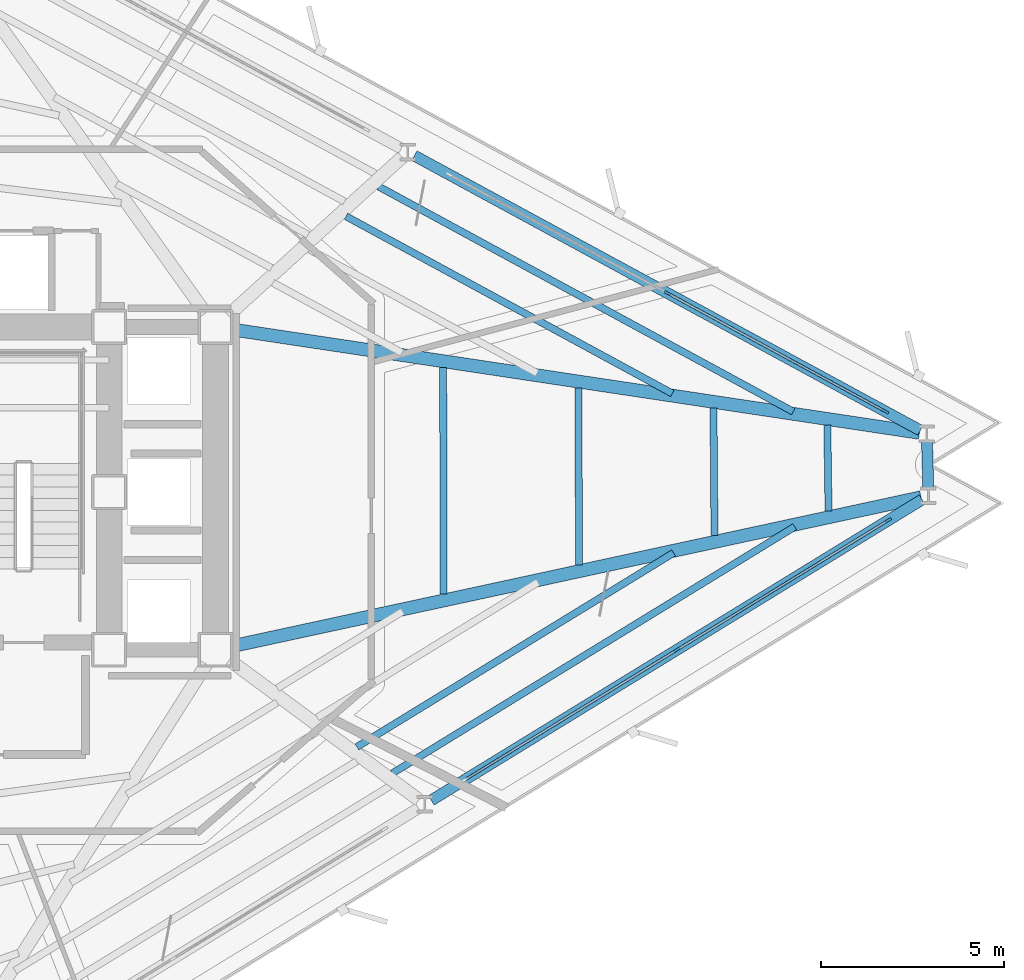
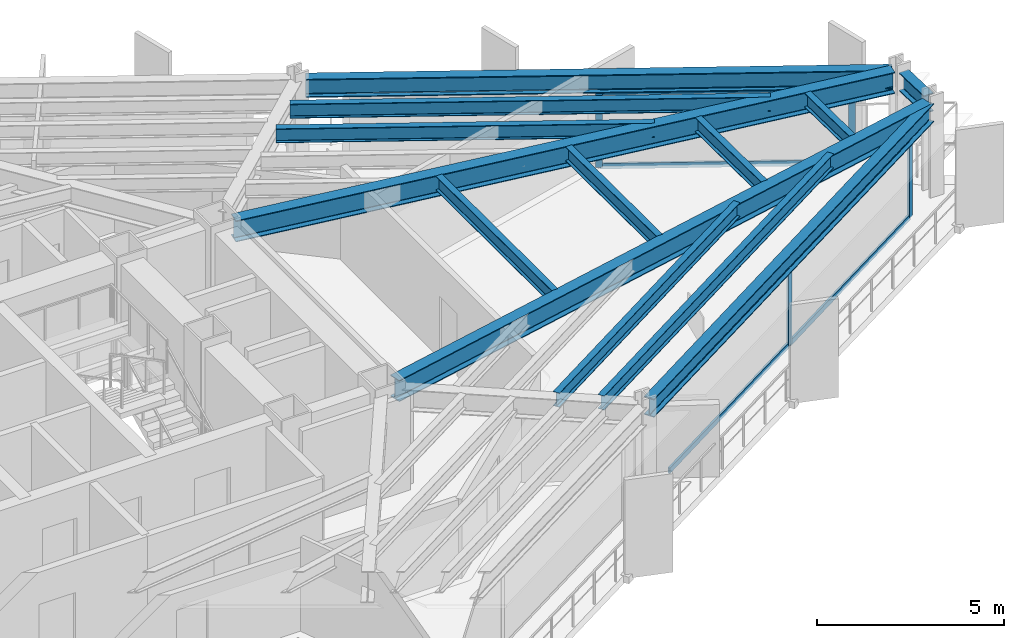
# One storey, part 4 of 14: 13 beams, 10 members, 2 elements without a shape of their own.
"""IFC4 building model written with IfcOpenShell, lengths in metres."""

from ifc_helpers import new_model, si_unit, direction, frame, origin, origin_2d, place, context, subcontext, project, spatial, rectangle, i_section, extrude, material, layer, layer_set, material_profile, profile_set, type_object, element, aggregate, save


model = new_model("IFC4")

# Units and contexts
model_context = context("Model", 3, precision=1e-05, world=origin(), true_north=direction((0.0, 1.0)))
body_context = subcontext(model_context, "Body", "Model", "MODEL_VIEW")
ifc_project = project(units=[si_unit("LENGTHUNIT", "METRE"), si_unit("AREAUNIT", "SQUARE_METRE"), si_unit("VOLUMEUNIT", "CUBIC_METRE"), si_unit("PLANEANGLEUNIT", "RADIAN"), si_unit("MASSUNIT", "GRAM", prefix="KILO")], contexts=[model_context])

# Site, building, storey
site_placement = place(None, origin())
site = spatial("IfcSite", under=ifc_project, at=site_placement, CompositionType="ELEMENT")
building_placement = place(site_placement, origin())
building = spatial("IfcBuilding", under=site, at=building_placement, Name="Rocaltana Carrier Exchange", CompositionType="ELEMENT")
storey_placement = place(building_placement, frame((0.0, 0.0, 32.320068359375)))
storey = spatial("IfcBuildingStorey", under=building, at=storey_placement, Name="L10", CompositionType="ELEMENT", Elevation=32.320068359375)

# Curtain wall, members
ifc_material_1 = material(Name="Aluminium 6063-T6", Category="aluminium")
ifc_layer = layer(ifc_material_1, 0.179931640625)
ifc_layer_set = layer_set([ifc_layer], Name="Aluminium 6063-T6")
curtain_wall_type = type_object("IfcCurtainWallType", Name="Sandstone Spandrel Unitised Curtain Wall CW-01", PredefinedType="NOTDEFINED", material=ifc_layer_set)
curtain_wall_1_placement = place(storey_placement, origin())
curtain_wall_1 = element("IfcCurtainWall", 1, at=curtain_wall_1_placement, inside=storey, type_object=curtain_wall_type, Name="L10 CW-01 Run CW-L10-F1S1", PredefinedType="NOTDEFINED")
ifc_material_2 = material(Name="Aluminium 6063-T6", Category="aluminium")
ifc_material_profile_1 = material_profile(ifc_material_2, rectangle(XDim=0.06494140625, YDim=0.179931640625, at=origin_2d()), Name="AL-65X180")
ifc_profile_set_1 = profile_set([ifc_material_profile_1], Name="Aluminium 6063-T6")
member_type_1 = type_object("IfcMemberType", Name="CW-01 Mullion AL-65X180", PredefinedType="MULLION", material=ifc_profile_set_1)
member_1_placement = place(storey_placement, frame((27.213623046875, 2.19677734375, 0.0), z_axis=(0.0, 0.0, 1.0), x_axis=(-0.477161473226, -0.878815639636, 0.0)))
member_1 = element("IfcMember", 2, at=member_1_placement, type_object=member_type_1, Name="CW-01 mullion 1", PredefinedType="MULLION", context=body_context, shape_type="SweptSolid", body=[
    extrude(rectangle(XDim=0.06494140625, YDim=0.179931640625, at=origin_2d()), origin(), (0.0, 0.0, 1.0), 2.47802734375),
])
member_2_placement = place(storey_placement, frame((21.26611328125, 5.426025390625, 0.0), z_axis=(0.0, 0.0, 1.0), x_axis=(-0.477161473226, -0.878815639636, 0.0)))
member_2 = element("IfcMember", 3, at=member_2_placement, type_object=member_type_1, Name="CW-01 mullion 2", PredefinedType="MULLION", context=body_context, shape_type="SweptSolid", body=[
    extrude(rectangle(XDim=0.06494140625, YDim=0.179931640625, at=origin_2d()), origin(), (0.0, 0.0, 1.0), 2.47802734375),
])

curtain_wall_2_placement = place(storey_placement, origin())
curtain_wall_2 = element("IfcCurtainWall", 4, at=curtain_wall_2_placement, inside=storey, type_object=curtain_wall_type, Name="L10 CW-01 Run CW-L10-F3S3", PredefinedType="NOTDEFINED")
member_3_placement = place(storey_placement, frame((21.52099609375, -4.3056640625, 0.0), z_axis=(0.0, 0.0, 1.0), x_axis=(-0.522499812415, 0.852639399762, 0.0)))
member_3 = element("IfcMember", 5, at=member_3_placement, type_object=member_type_1, Name="CW-01 mullion 2", PredefinedType="MULLION", context=body_context, shape_type="SweptSolid", body=[
    extrude(rectangle(XDim=0.06494140625, YDim=0.179931640625, at=origin_2d()), origin(), (0.0, 0.0, 1.0), 2.47802734375),
])
member_4_placement = place(storey_placement, frame((27.291259765625, -0.76953125, 0.0), z_axis=(0.0, 0.0, 1.0), x_axis=(-0.522499812415, 0.852639399762, 0.0)))
member_4 = element("IfcMember", 6, at=member_4_placement, type_object=member_type_1, Name="CW-01 mullion 3", PredefinedType="MULLION", context=body_context, shape_type="SweptSolid", body=[
    extrude(rectangle(XDim=0.06494140625, YDim=0.179931640625, at=origin_2d()), origin(), (0.0, 0.0, 1.0), 2.47802734375),
])

# Member
ifc_material_3 = material(Name="Aluminium 6063-T6", Category="aluminium")
ifc_material_profile_2 = material_profile(ifc_material_3, rectangle(XDim=0.06494140625, YDim=0.179931640625, at=origin_2d()), Name="AL-65X180")
ifc_profile_set_2 = profile_set([ifc_material_profile_2], Name="Aluminium 6063-T6")
member_type_2 = type_object("IfcMemberType", Name="CW-01 Transom AL-65X180", PredefinedType="USERDEFINED", material=ifc_profile_set_2)
member_5_placement = place(storey_placement, frame((27.18505859375, 2.21240234375, 0.032470703125), z_axis=(-0.878830739565, 0.477133661772, 0.0), x_axis=(-0.477133661772, -0.878830739565, 0.0)))
member_5 = element("IfcMember", 7, at=member_5_placement, type_object=member_type_2, Name="CW-01 transom 1.1", ObjectType="TRANSOM", PredefinedType="USERDEFINED", context=body_context, shape_type="SweptSolid", body=[
    extrude(rectangle(XDim=0.06494140625, YDim=0.179931640625, at=origin_2d()), origin(), (0.0, 0.0, 1.0), 6.70263671875),
])

member_6_placement = place(storey_placement, frame((27.18505859375, 2.21240234375, 2.4453125), z_axis=(-0.878830739565, 0.477133661772, 0.0), x_axis=(-0.477133661772, -0.878830739565, 0.0)))
member_6 = element("IfcMember", 8, at=member_6_placement, type_object=member_type_2, Name="CW-01 transom 1.2", ObjectType="TRANSOM", PredefinedType="USERDEFINED", context=body_context, shape_type="SweptSolid", body=[
    extrude(rectangle(XDim=0.06494140625, YDim=0.179931640625, at=origin_2d()), origin(), (0.0, 0.0, 1.0), 6.70263671875),
])

aggregate(curtain_wall_1, [member_1, member_2, member_5, member_6])

member_7_placement = place(storey_placement, frame((15.7783203125, -7.82470703125, 0.032470703125), z_axis=(0.85263109068, 0.522513371318, 0.0), x_axis=(-0.522513371318, 0.85263109068, 0.0)))
member_7 = element("IfcMember", 9, at=member_7_placement, type_object=member_type_2, Name="CW-01 transom 1.1", ObjectType="TRANSOM", PredefinedType="USERDEFINED", context=body_context, shape_type="SweptSolid", body=[
    extrude(rectangle(XDim=0.06494140625, YDim=0.179931640625, at=origin_2d()), origin(), (0.0, 0.0, 1.0), 6.70263671875),
])

member_8_placement = place(storey_placement, frame((15.7783203125, -7.82470703125, 2.4453125), z_axis=(0.85263109068, 0.522513371318, 0.0), x_axis=(-0.522513371318, 0.85263109068, 0.0)))
member_8 = element("IfcMember", 10, at=member_8_placement, type_object=member_type_2, Name="CW-01 transom 1.2", ObjectType="TRANSOM", PredefinedType="USERDEFINED", context=body_context, shape_type="SweptSolid", body=[
    extrude(rectangle(XDim=0.06494140625, YDim=0.179931640625, at=origin_2d()), origin(), (0.0, 0.0, 1.0), 6.70263671875),
])

member_9_placement = place(storey_placement, frame((21.548583984375, -4.28857421875, 0.032470703125), z_axis=(0.85264731822, 0.522486890488, 0.0), x_axis=(-0.522486890488, 0.85264731822, 0.0)))
member_9 = element("IfcMember", 11, at=member_9_placement, type_object=member_type_2, Name="CW-01 transom 2.1", ObjectType="TRANSOM", PredefinedType="USERDEFINED", context=body_context, shape_type="SweptSolid", body=[
    extrude(rectangle(XDim=0.06494140625, YDim=0.179931640625, at=origin_2d()), origin(), (0.0, 0.0, 1.0), 6.702392578125),
])

member_10_placement = place(storey_placement, frame((21.548583984375, -4.28857421875, 2.4453125), z_axis=(0.85264731822, 0.522486890488, 0.0), x_axis=(-0.522486890488, 0.85264731822, 0.0)))
member_10 = element("IfcMember", 12, at=member_10_placement, type_object=member_type_2, Name="CW-01 transom 2.2", ObjectType="TRANSOM", PredefinedType="USERDEFINED", context=body_context, shape_type="SweptSolid", body=[
    extrude(rectangle(XDim=0.06494140625, YDim=0.179931640625, at=origin_2d()), origin(), (0.0, 0.0, 1.0), 6.702392578125),
])

aggregate(curtain_wall_2, [member_3, member_4, member_7, member_8, member_9, member_10])

# Beams
ifc_material_4 = material(Name="Steel S355", Category="steel")
ifc_material_profile_3 = material_profile(ifc_material_4, i_section(OverallWidth=0.193115234375, OverallDepth=0.466064453125, WebThickness=0.011474609375, FlangeThickness=0.01904296875, FilletRadius=0.013916015625, at=origin_2d()), Name="W18X65")
ifc_profile_set_3 = profile_set([ifc_material_profile_3], Name="Steel S355")
beam_type_1 = type_object("IfcBeamType", Name="Floor Joist W18X65", PredefinedType="JOIST", material=ifc_profile_set_3)
beam_1_placement = place(storey_placement, frame((21.4033203125, 2.68701171875, 2.864990234375), z_axis=(-0.878818466662, 0.477156266494, 0.0), x_axis=(-0.477156266494, -0.878818466662, 0.0)))
element("IfcBeam", 13, at=beam_1_placement, inside=storey, type_object=beam_type_1, Name="FJ-L10-01-3", PredefinedType="JOIST", context=body_context, shape_type="SweptSolid", body=[
    extrude(i_section(OverallWidth=0.193115234375, OverallDepth=0.466064453125, WebThickness=0.011474609375, FlangeThickness=0.01904296875, FilletRadius=0.013916015625, at=origin_2d()), origin(), (0.0, 0.0, 1.0), 10.1220703125),
])
beam_2_placement = place(storey_placement, frame((24.69970703125, 2.19140625, 2.864990234375), z_axis=(-0.878819767198, 0.477153871181, 0.0), x_axis=(-0.477153871181, -0.878819767198, 0.0)))
element("IfcBeam", 14, at=beam_2_placement, inside=storey, type_object=beam_type_1, Name="FJ-L10-01-4", PredefinedType="JOIST", context=body_context, shape_type="SweptSolid", body=[
    extrude(i_section(OverallWidth=0.193115234375, OverallDepth=0.466064453125, WebThickness=0.011474609375, FlangeThickness=0.01904296875, FilletRadius=0.013916015625, at=origin_2d()), origin(), (0.0, 0.0, 1.0), 12.859130859375),
])
beam_3_placement = place(storey_placement, frame((12.805908203125, -6.947998046875, 2.864990234375), z_axis=(0.852634876053, 0.522507194341, 0.0), x_axis=(-0.522507194341, 0.852634876053, 0.0)))
element("IfcBeam", 15, at=beam_3_placement, inside=storey, type_object=beam_type_1, Name="FJ-L10-11-3", PredefinedType="JOIST", context=body_context, shape_type="SweptSolid", body=[
    extrude(i_section(OverallWidth=0.193115234375, OverallDepth=0.466064453125, WebThickness=0.011474609375, FlangeThickness=0.01904296875, FilletRadius=0.013916015625, at=origin_2d()), origin(), (0.0, 0.0, 1.0), 10.1220703125),
])
beam_4_placement = place(storey_placement, frame((13.776123046875, -7.6640625, 2.864990234375), z_axis=(0.852642453123, 0.522494829766, 0.0), x_axis=(-0.522494829766, 0.852642453123, 0.0)))
element("IfcBeam", 16, at=beam_4_placement, inside=storey, type_object=beam_type_1, Name="FJ-L10-11-4", PredefinedType="JOIST", context=body_context, shape_type="SweptSolid", body=[
    extrude(i_section(OverallWidth=0.193115234375, OverallDepth=0.466064453125, WebThickness=0.011474609375, FlangeThickness=0.01904296875, FilletRadius=0.013916015625, at=origin_2d()), origin(), (0.0, 0.0, 1.0), 12.85888671875),
])
beam_5_placement = place(storey_placement, frame((15.168701171875, -2.7841796875, 2.864990234375), z_axis=(-0.00213328634, 0.999997724542, 0.0), x_axis=(-0.999997724542, -0.00213328634, 0.0)))
element("IfcBeam", 17, at=beam_5_placement, inside=storey, type_object=beam_type_1, Name="FJ-L10-12-1", PredefinedType="JOIST", context=body_context, shape_type="SweptSolid", body=[
    extrude(i_section(OverallWidth=0.193115234375, OverallDepth=0.466064453125, WebThickness=0.011474609375, FlangeThickness=0.01904296875, FilletRadius=0.013916015625, at=origin_2d()), origin(), (0.0, 0.0, 1.0), 6.179931640625),
])
beam_6_placement = place(storey_placement, frame((18.861083984375, -1.986083984375, 2.864990234375), z_axis=(-0.004348884286, 0.999990543558, 0.0), x_axis=(-0.999990543558, -0.004348884286, 0.0)))
element("IfcBeam", 18, at=beam_6_placement, inside=storey, type_object=beam_type_1, Name="FJ-L10-12-2", PredefinedType="JOIST", context=body_context, shape_type="SweptSolid", body=[
    extrude(i_section(OverallWidth=0.193115234375, OverallDepth=0.466064453125, WebThickness=0.011474609375, FlangeThickness=0.01904296875, FilletRadius=0.013916015625, at=origin_2d()), origin(), (0.0, 0.0, 1.0), 4.827880859375),
])
beam_7_placement = place(storey_placement, frame((22.552978515625, -1.188232421875, 2.864990234375), z_axis=(-0.008076713655, 0.999967382816, 0.0), x_axis=(-0.999967382816, -0.008076713655, 0.0)))
element("IfcBeam", 19, at=beam_7_placement, inside=storey, type_object=beam_type_1, Name="FJ-L10-12-3", PredefinedType="JOIST", context=body_context, shape_type="SweptSolid", body=[
    extrude(i_section(OverallWidth=0.193115234375, OverallDepth=0.466064453125, WebThickness=0.011474609375, FlangeThickness=0.01904296875, FilletRadius=0.013916015625, at=origin_2d()), origin(), (0.0, 0.0, 1.0), 3.47607421875),
])
beam_8_placement = place(storey_placement, frame((25.661376953125, -0.51611328125, 2.864990234375), z_axis=(-0.014097815542, 0.99990062086, 0.0), x_axis=(-0.99990062086, -0.014097815542, 0.0)))
element("IfcBeam", 20, at=beam_8_placement, inside=storey, type_object=beam_type_1, Name="FJ-L10-12-4", PredefinedType="JOIST", context=body_context, shape_type="SweptSolid", body=[
    extrude(i_section(OverallWidth=0.193115234375, OverallDepth=0.466064453125, WebThickness=0.011474609375, FlangeThickness=0.01904296875, FilletRadius=0.013916015625, at=origin_2d()), origin(), (0.0, 0.0, 1.0), 2.337890625),
])
ifc_material_5 = material(Name="Steel S355", Category="steel")
ifc_material_profile_4 = material_profile(ifc_material_5, i_section(OverallWidth=0.35498046875, OverallDepth=0.695068359375, WebThickness=0.015380859375, FlangeThickness=0.02490234375, FilletRadius=0.01806640625, at=origin_2d()), Name="W27X146")
ifc_profile_set_4 = profile_set([ifc_material_profile_4], Name="Steel S355")
beam_type_2 = type_object("IfcBeamType", Name="Radial Girder W27X146", PredefinedType="BEAM", material=ifc_profile_set_4)
beam_9_placement = place(storey_placement, frame((9.411865234375, 4.4306640625, 2.75048828125), z_axis=(0.988886936912, -0.148669519418, 0.0), x_axis=(0.148669519418, 0.988886936912, 0.0)))
element("IfcBeam", 21, at=beam_9_placement, inside=storey, type_object=beam_type_2, Name="RG-L10-01", PredefinedType="BEAM", context=body_context, shape_type="SweptSolid", body=[
    extrude(i_section(OverallWidth=0.35498046875, OverallDepth=0.695068359375, WebThickness=0.015380859375, FlangeThickness=0.02490234375, FilletRadius=0.01806640625, at=origin_2d()), origin(), (0.0, 0.0, 1.0), 18.9375),
])
beam_10_placement = place(storey_placement, frame((9.406494140625, -4.201416015625, 2.75048828125), z_axis=(0.977429699022, 0.211260936923, 0.0), x_axis=(-0.211260936923, 0.977429699022, 0.0)))
element("IfcBeam", 22, at=beam_10_placement, inside=storey, type_object=beam_type_2, Name="RG-L10-12", PredefinedType="BEAM", context=body_context, shape_type="SweptSolid", body=[
    extrude(i_section(OverallWidth=0.35498046875, OverallDepth=0.695068359375, WebThickness=0.015380859375, FlangeThickness=0.02490234375, FilletRadius=0.01806640625, at=origin_2d()), origin(), (0.0, 0.0, 1.0), 19.21240234375),
])
ifc_material_6 = material(Name="Steel S355", Category="steel")
ifc_material_profile_5 = material_profile(ifc_material_6, i_section(OverallWidth=0.300048828125, OverallDepth=0.60009765625, WebThickness=0.015380859375, FlangeThickness=0.030029296875, FilletRadius=0.027099609375, at=origin_2d()), Name="HEB600")
ifc_profile_set_5 = profile_set([ifc_material_profile_5], Name="Steel S355")
beam_type_3 = type_object("IfcBeamType", Name="Spandrel Edge Beam HEB600", PredefinedType="SPANDREL", material=ifc_profile_set_5)
for number, where, z_axis, x_axis, name in (
    (23, (28.161376953125, 1.68212890625, 2.7978515625), (-0.878809627373, 0.47717254619, 0.0), (-0.47717254619, -0.878809627373, 0.0), "SP-L10-01"),
    (24, (14.8310546875, -8.405029296875, 2.7978515625), (0.852642393394, 0.522494927236, 0.0), (-0.522494927236, 0.852642393394, 0.0), "SP-L10-11"),
):
    element("IfcBeam", number, at=place(storey_placement, frame(where, z_axis=z_axis, x_axis=x_axis)), inside=storey, type_object=beam_type_3, Name=name, PredefinedType="SPANDREL", context=body_context, shape_type="SweptSolid", body=[
        extrude(i_section(OverallWidth=0.300048828125, OverallDepth=0.60009765625, WebThickness=0.015380859375, FlangeThickness=0.030029296875, FilletRadius=0.027099609375, at=origin_2d()), origin(), (0.0, 0.0, 1.0), 15.69189453125),
    ])
beam_11_placement = place(storey_placement, frame((28.37939453125, 0.1044921875, 2.7978515625), z_axis=(-0.026191050472, 0.999656955598, 0.0), x_axis=(-0.999656955598, -0.026191050472, 0.0)))
element("IfcBeam", 25, at=beam_11_placement, inside=storey, type_object=beam_type_3, Name="SP-L10-12", PredefinedType="SPANDREL", context=body_context, shape_type="SweptSolid", body=[
    extrude(i_section(OverallWidth=0.300048828125, OverallDepth=0.60009765625, WebThickness=0.015380859375, FlangeThickness=0.030029296875, FilletRadius=0.027099609375, at=origin_2d()), origin(), (0.0, 0.0, 1.0), 1.277099609375),
])

save(model, "model.ifc")
